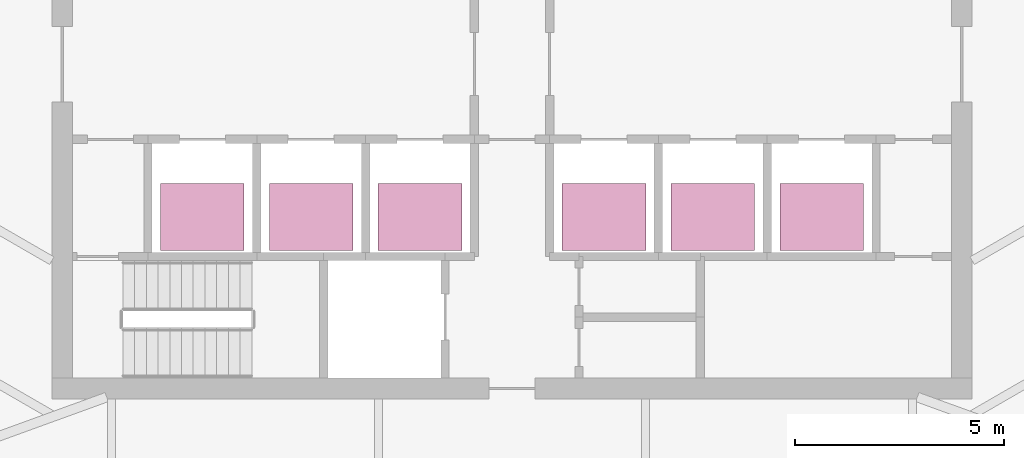
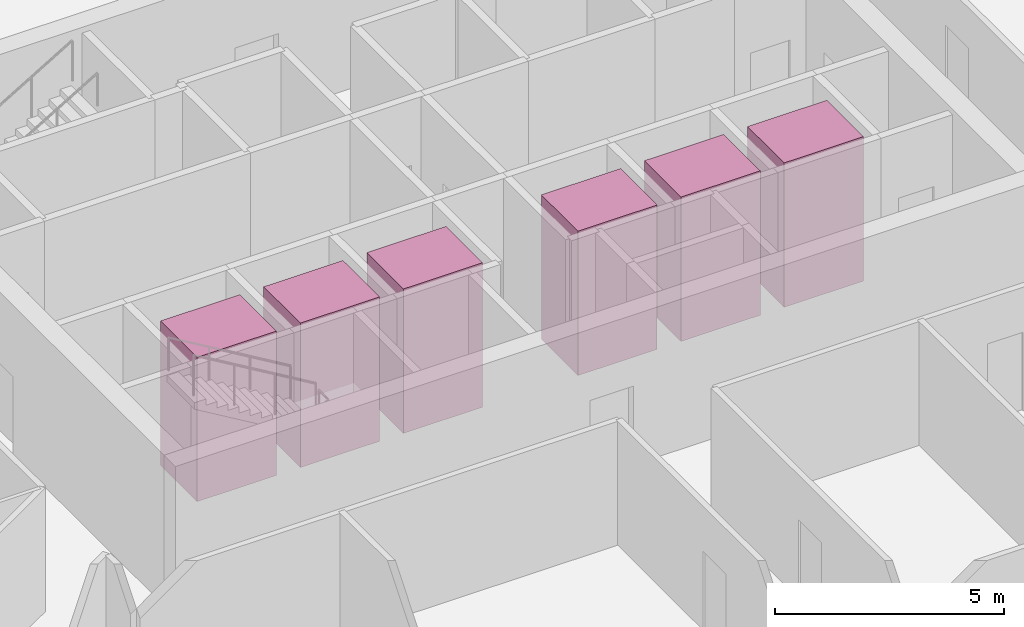
# One storey, part 18 of 18: 6 transport elements.
"""IFC4 building model written with IfcOpenShell, lengths in metres."""

from ifc_helpers import new_model, si_unit, direction, frame, origin, origin_2d, place, context, subcontext, project, spatial, rectangle, extrude, material, type_object, element, save


model = new_model("IFC4")

# Units and contexts
model_context = context("Model", 3, precision=1e-05, world=origin(), true_north=direction((0.0, 1.0)))
body_context = subcontext(model_context, "Body", "Model", "MODEL_VIEW")
ifc_project = project(units=[si_unit("LENGTHUNIT", "METRE"), si_unit("AREAUNIT", "SQUARE_METRE"), si_unit("VOLUMEUNIT", "CUBIC_METRE"), si_unit("PLANEANGLEUNIT", "RADIAN"), si_unit("MASSUNIT", "GRAM", prefix="KILO")], contexts=[model_context])

# Site, building, storey
site_placement = place(None, origin())
site = spatial("IfcSite", under=ifc_project, at=site_placement, CompositionType="ELEMENT")
building_placement = place(site_placement, origin())
building = spatial("IfcBuilding", under=site, at=building_placement, Name="Sierra Prisma Convention Tower", CompositionType="ELEMENT")
storey_placement = place(building_placement, frame((0.0, 0.0, 287.0)))
storey = spatial("IfcBuildingStorey", under=building, at=storey_placement, Name="L65", CompositionType="ELEMENT", Elevation=287.0)

# Transport elements
ifc_material = material(Name="Stainless steel", Category="steel")
transport_element_type = type_object("IfcTransportElementType", Name="Lift car office high 2000x1600 1600 kg", PredefinedType="ELEVATOR", material=ifc_material)
for number, where, z_axis, x_axis, name in (
    (1, (-7.39990234375, -3.64990234375, 0.0), (0.0, 0.0, 1.0), (1.0, 0.0, 0.0), "Lift OH1"),
    (2, (-4.800048828125, -3.64990234375, 0.0), (0.0, 0.0, 1.0), (1.0, 0.0, 0.0), "Lift OH2"),
    (3, (-2.199951171875, -3.64990234375, 0.0), (0.0, 0.0, 1.0), (1.0, 0.0, 0.0), "Lift OH3"),
    (4, (2.199951171875, -3.64990234375, 0.0), (0.0, 0.0, 1.0), (1.0, 0.0, 0.0), "Lift OH4"),
    (5, (4.800048828125, -3.64990234375, 0.0), (0.0, 0.0, 1.0), (1.0, 0.0, 0.0), "Lift OH5"),
    (6, (7.39990234375, -3.64990234375, 0.0), (0.0, 0.0, 1.0), (1.0, 0.0, 0.0), "Lift OH6"),
):
    element("IfcTransportElement", number, at=place(storey_placement, frame(where, z_axis=z_axis, x_axis=x_axis)), inside=storey, type_object=transport_element_type, Name=name, PredefinedType="ELEVATOR", context=body_context, shape_type="SweptSolid", body=[
        extrude(rectangle(XDim=2.0, YDim=1.60009765625, at=origin_2d()), origin(), (0.0, 0.0, 1.0), 3.85009765625),
    ])

save(model, "model.ifc")
